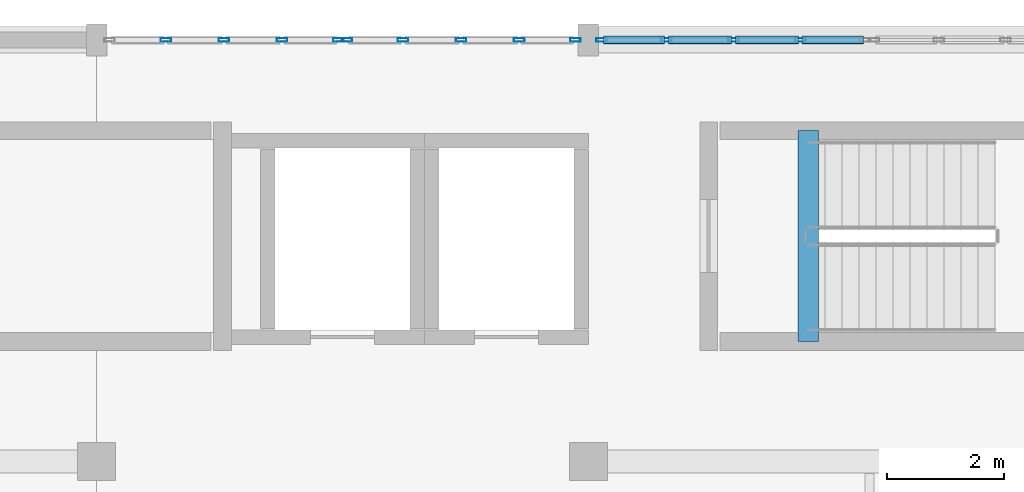
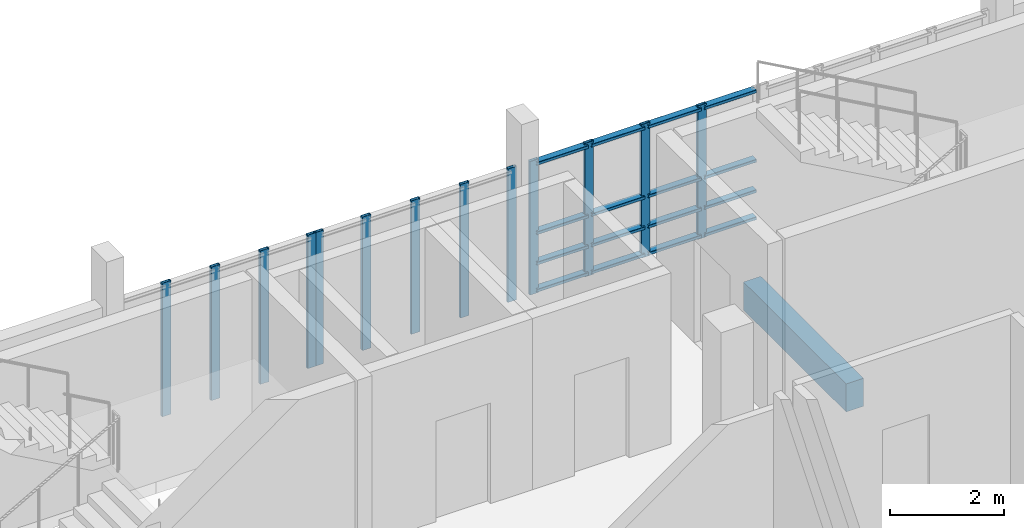
# One storey, part 8 of 25: 29 members, 1 beam, 3 elements without a shape of their own.
"""IFC4 building model written with IfcOpenShell, lengths in metres."""

from ifc_helpers import new_model, si_unit, direction, frame, origin, origin_2d, place, context, subcontext, project, spatial, rectangle, hollow_rectangle, extrude, material, layer, layer_set, material_profile, profile_set, type_object, element, aggregate, save


model = new_model("IFC4")

# Units and contexts
model_context = context("Model", 3, precision=1e-05, world=origin(), true_north=direction((0.0, 1.0)))
body_context = subcontext(model_context, "Body", "Model", "MODEL_VIEW")
ifc_project = project(units=[si_unit("LENGTHUNIT", "METRE"), si_unit("AREAUNIT", "SQUARE_METRE"), si_unit("VOLUMEUNIT", "CUBIC_METRE"), si_unit("PLANEANGLEUNIT", "RADIAN"), si_unit("MASSUNIT", "GRAM", prefix="KILO")], contexts=[model_context])

# Site, building, storey
site_placement = place(None, origin())
site = spatial("IfcSite", under=ifc_project, at=site_placement, CompositionType="ELEMENT")
building_placement = place(site_placement, origin())
building = spatial("IfcBuilding", under=site, at=building_placement, Name="Kisaragi Civic Commons", CompositionType="ELEMENT")
storey_placement = place(building_placement, frame((0.0, 0.0, 13.5)))
storey = spatial("IfcBuildingStorey", under=building, at=storey_placement, Name="L03", CompositionType="ELEMENT", Elevation=13.5)

# Curtain wall, members
ifc_material_1 = material(Name="Thermally broken anodized aluminium and low-E double glazing", Category="aluminium")
ifc_layer = layer(ifc_material_1, 0.179931640625, Name="Thermally broken anodized aluminium and low-E double glazing", Category="aluminium")
ifc_layer_set = layer_set([ifc_layer], Name="Thermally broken anodized aluminium and low-E double glazing")
curtain_wall_type = type_object("IfcCurtainWallType", Name="CW-01", PredefinedType="NOTDEFINED", material=ifc_layer_set)
curtain_wall_1_placement = place(storey_placement, origin())
curtain_wall_1 = element("IfcCurtainWall", 1, at=curtain_wall_1_placement, inside=storey, type_object=curtain_wall_type, Name="L03 curtain wall CW-01 CW-V4-L03-097", PredefinedType="NOTDEFINED")
ifc_material_profile_1 = material_profile(ifc_material_1, hollow_rectangle(XDim=0.06494140625, YDim=0.179931640625, WallThickness=0.00439453125, InnerFilletRadius=0.00439453125, OuterFilletRadius=0.009033203125, at=origin_2d()), Name="CWM-65x180x4.5", Category="aluminium")
ifc_profile_set_1 = profile_set([ifc_material_profile_1], Name="Thermally broken anodized aluminium and low-E double glazing")
member_type_1 = type_object("IfcMemberType", Name="CWM-02", PredefinedType="MULLION", material=ifc_profile_set_1)
member_1_placement = place(storey_placement, frame((106.782470703125, 118.800048828125, 0.0), z_axis=(0.0, 0.0, 1.0), x_axis=(0.0, 1.0, 0.0)))
member_1 = element("IfcMember", 2, at=member_1_placement, type_object=member_type_1, Name="CW-01 mullion 2", PredefinedType="MULLION", context=body_context, shape_type="SweptSolid", body=[
    extrude(hollow_rectangle(XDim=0.06494140625, YDim=0.179931640625, WallThickness=0.00439453125, InnerFilletRadius=0.00439453125, OuterFilletRadius=0.009033203125, at=origin_2d()), origin(), (0.0, 0.0, 1.0), 2.85498046875),
])
member_2_placement = place(storey_placement, frame((107.77490234375, 118.800048828125, 0.0), z_axis=(0.0, 0.0, 1.0), x_axis=(0.0, 1.0, 0.0)))
member_2 = element("IfcMember", 3, at=member_2_placement, type_object=member_type_1, Name="CW-01 mullion 3", PredefinedType="MULLION", context=body_context, shape_type="SweptSolid", body=[
    extrude(hollow_rectangle(XDim=0.06494140625, YDim=0.179931640625, WallThickness=0.00439453125, InnerFilletRadius=0.00439453125, OuterFilletRadius=0.009033203125, at=origin_2d()), origin(), (0.0, 0.0, 1.0), 2.85498046875),
])
member_3_placement = place(storey_placement, frame((108.767578125, 118.800048828125, 0.0), z_axis=(0.0, 0.0, 1.0), x_axis=(0.0, 1.0, 0.0)))
member_3 = element("IfcMember", 4, at=member_3_placement, type_object=member_type_1, Name="CW-01 mullion 4", PredefinedType="MULLION", context=body_context, shape_type="SweptSolid", body=[
    extrude(hollow_rectangle(XDim=0.06494140625, YDim=0.179931640625, WallThickness=0.00439453125, InnerFilletRadius=0.00439453125, OuterFilletRadius=0.009033203125, at=origin_2d()), origin(), (0.0, 0.0, 1.0), 2.85498046875),
])
member_4_placement = place(storey_placement, frame((109.7275390625, 118.800048828125, 0.0), z_axis=(0.0, 0.0, 1.0), x_axis=(0.0, 1.0, 0.0)))
member_4 = element("IfcMember", 5, at=member_4_placement, type_object=member_type_1, Name="CW-01 mullion 5", PredefinedType="MULLION", context=body_context, shape_type="SweptSolid", body=[
    extrude(hollow_rectangle(XDim=0.06494140625, YDim=0.179931640625, WallThickness=0.00439453125, InnerFilletRadius=0.00439453125, OuterFilletRadius=0.009033203125, at=origin_2d()), origin(), (0.0, 0.0, 1.0), 2.85498046875),
])
aggregate(curtain_wall_1, [member_1, member_2, member_3, member_4])

curtain_wall_2_placement = place(storey_placement, origin())
curtain_wall_2 = element("IfcCurtainWall", 6, at=curtain_wall_2_placement, inside=storey, type_object=curtain_wall_type, Name="L03 curtain wall CW-01 CW-V4-L03-098", PredefinedType="NOTDEFINED")
member_5_placement = place(storey_placement, frame((109.87255859375, 118.800048828125, 0.0), z_axis=(0.0, 0.0, 1.0), x_axis=(0.0, 1.0, 0.0)))
member_5 = element("IfcMember", 7, at=member_5_placement, type_object=member_type_1, Name="CW-01 mullion 1", PredefinedType="MULLION", context=body_context, shape_type="SweptSolid", body=[
    extrude(hollow_rectangle(XDim=0.06494140625, YDim=0.179931640625, WallThickness=0.00439453125, InnerFilletRadius=0.00439453125, OuterFilletRadius=0.009033203125, at=origin_2d()), origin(), (0.0, 0.0, 1.0), 2.85498046875),
])
member_6_placement = place(storey_placement, frame((110.83251953125, 118.800048828125, 0.0), z_axis=(0.0, 0.0, 1.0), x_axis=(0.0, 1.0, 0.0)))
member_6 = element("IfcMember", 8, at=member_6_placement, type_object=member_type_1, Name="CW-01 mullion 2", PredefinedType="MULLION", context=body_context, shape_type="SweptSolid", body=[
    extrude(hollow_rectangle(XDim=0.06494140625, YDim=0.179931640625, WallThickness=0.00439453125, InnerFilletRadius=0.00439453125, OuterFilletRadius=0.009033203125, at=origin_2d()), origin(), (0.0, 0.0, 1.0), 2.85498046875),
])
member_7_placement = place(storey_placement, frame((111.824951171875, 118.800048828125, 0.0), z_axis=(0.0, 0.0, 1.0), x_axis=(0.0, 1.0, 0.0)))
member_7 = element("IfcMember", 9, at=member_7_placement, type_object=member_type_1, Name="CW-01 mullion 3", PredefinedType="MULLION", context=body_context, shape_type="SweptSolid", body=[
    extrude(hollow_rectangle(XDim=0.06494140625, YDim=0.179931640625, WallThickness=0.00439453125, InnerFilletRadius=0.00439453125, OuterFilletRadius=0.009033203125, at=origin_2d()), origin(), (0.0, 0.0, 1.0), 2.85498046875),
])
member_8_placement = place(storey_placement, frame((112.8173828125, 118.800048828125, 0.0), z_axis=(0.0, 0.0, 1.0), x_axis=(0.0, 1.0, 0.0)))
member_8 = element("IfcMember", 10, at=member_8_placement, type_object=member_type_1, Name="CW-01 mullion 4", PredefinedType="MULLION", context=body_context, shape_type="SweptSolid", body=[
    extrude(hollow_rectangle(XDim=0.06494140625, YDim=0.179931640625, WallThickness=0.00439453125, InnerFilletRadius=0.00439453125, OuterFilletRadius=0.009033203125, at=origin_2d()), origin(), (0.0, 0.0, 1.0), 2.85498046875),
])
member_9_placement = place(storey_placement, frame((113.777587890625, 118.800048828125, 0.0), z_axis=(0.0, 0.0, 1.0), x_axis=(0.0, 1.0, 0.0)))
member_9 = element("IfcMember", 11, at=member_9_placement, type_object=member_type_1, Name="CW-01 mullion 5", PredefinedType="MULLION", context=body_context, shape_type="SweptSolid", body=[
    extrude(hollow_rectangle(XDim=0.06494140625, YDim=0.179931640625, WallThickness=0.00439453125, InnerFilletRadius=0.00439453125, OuterFilletRadius=0.009033203125, at=origin_2d()), origin(), (0.0, 0.0, 1.0), 2.85498046875),
])
aggregate(curtain_wall_2, [member_5, member_6, member_7, member_8, member_9])

curtain_wall_3_placement = place(storey_placement, origin())
curtain_wall_3 = element("IfcCurtainWall", 12, at=curtain_wall_3_placement, inside=storey, type_object=curtain_wall_type, Name="L03 curtain wall CW-01 CW-V4-L03-099", PredefinedType="NOTDEFINED")
member_10_placement = place(storey_placement, frame((114.222412109375, 118.800048828125, 0.0), z_axis=(0.0, 0.0, 1.0), x_axis=(0.0, 1.0, 0.0)))
member_10 = element("IfcMember", 13, at=member_10_placement, type_object=member_type_1, Name="CW-01 mullion 1", PredefinedType="MULLION", context=body_context, shape_type="SweptSolid", body=[
    extrude(hollow_rectangle(XDim=0.06494140625, YDim=0.179931640625, WallThickness=0.00439453125, InnerFilletRadius=0.00439453125, OuterFilletRadius=0.009033203125, at=origin_2d()), origin(), (0.0, 0.0, 1.0), 2.85498046875),
])
member_11_placement = place(storey_placement, frame((115.33251953125, 118.800048828125, 0.0), z_axis=(0.0, 0.0, 1.0), x_axis=(0.0, 1.0, 0.0)))
member_11 = element("IfcMember", 14, at=member_11_placement, type_object=member_type_1, Name="CW-01 mullion 2", PredefinedType="MULLION", context=body_context, shape_type="SweptSolid", body=[
    extrude(hollow_rectangle(XDim=0.06494140625, YDim=0.179931640625, WallThickness=0.00439453125, InnerFilletRadius=0.00439453125, OuterFilletRadius=0.009033203125, at=origin_2d()), origin(), (0.0, 0.0, 1.0), 2.85498046875),
])
member_12_placement = place(storey_placement, frame((116.47509765625, 118.800048828125, 0.0), z_axis=(0.0, 0.0, 1.0), x_axis=(0.0, 1.0, 0.0)))
member_12 = element("IfcMember", 15, at=member_12_placement, type_object=member_type_1, Name="CW-01 mullion 3", PredefinedType="MULLION", context=body_context, shape_type="SweptSolid", body=[
    extrude(hollow_rectangle(XDim=0.06494140625, YDim=0.179931640625, WallThickness=0.00439453125, InnerFilletRadius=0.00439453125, OuterFilletRadius=0.009033203125, at=origin_2d()), origin(), (0.0, 0.0, 1.0), 2.85498046875),
])
member_13_placement = place(storey_placement, frame((117.617431640625, 118.800048828125, 0.0), z_axis=(0.0, 0.0, 1.0), x_axis=(0.0, 1.0, 0.0)))
member_13 = element("IfcMember", 16, at=member_13_placement, type_object=member_type_1, Name="CW-01 mullion 4", PredefinedType="MULLION", context=body_context, shape_type="SweptSolid", body=[
    extrude(hollow_rectangle(XDim=0.06494140625, YDim=0.179931640625, WallThickness=0.00439453125, InnerFilletRadius=0.00439453125, OuterFilletRadius=0.009033203125, at=origin_2d()), origin(), (0.0, 0.0, 1.0), 2.85498046875),
])
ifc_material_profile_2 = material_profile(ifc_material_1, hollow_rectangle(XDim=0.139892578125, YDim=0.06494140625, WallThickness=0.00439453125, InnerFilletRadius=0.00439453125, OuterFilletRadius=0.009033203125, at=origin_2d()), Name="CWT-65x140x4.5", Category="aluminium")
ifc_profile_set_2 = profile_set([ifc_material_profile_2], Name="Thermally broken anodized aluminium and low-E double glazing")
member_type_2 = type_object("IfcMemberType", Name="CWT-02", PredefinedType="USERDEFINED", material=ifc_profile_set_2)
member_14_placement = place(storey_placement, frame((114.2548828125, 118.800048828125, 0.070068359375), z_axis=(1.0, 0.0, 0.0), x_axis=(0.0, 1.0, 0.0)))
member_14 = element("IfcMember", 17, at=member_14_placement, type_object=member_type_2, Name="CW-01 transom 1.1", ObjectType="TRANSOM", PredefinedType="USERDEFINED", context=body_context, shape_type="SweptSolid", body=[
    extrude(hollow_rectangle(XDim=0.139892578125, YDim=0.06494140625, WallThickness=0.00439453125, InnerFilletRadius=0.00439453125, OuterFilletRadius=0.009033203125, at=origin_2d()), origin(), (0.0, 0.0, 1.0), 1.045166015625),
])
member_15_placement = place(storey_placement, frame((114.2548828125, 118.800048828125, 0.64990234375), z_axis=(1.0, 0.0, 0.0), x_axis=(0.0, 1.0, 0.0)))
member_15 = element("IfcMember", 18, at=member_15_placement, type_object=member_type_2, Name="CW-01 transom 1.2", ObjectType="TRANSOM", PredefinedType="USERDEFINED", context=body_context, shape_type="SweptSolid", body=[
    extrude(hollow_rectangle(XDim=0.139892578125, YDim=0.06494140625, WallThickness=0.00439453125, InnerFilletRadius=0.00439453125, OuterFilletRadius=0.009033203125, at=origin_2d()), origin(), (0.0, 0.0, 1.0), 1.045166015625),
])
member_16_placement = place(storey_placement, frame((114.2548828125, 118.800048828125, 1.300048828125), z_axis=(1.0, 0.0, 0.0), x_axis=(0.0, 1.0, 0.0)))
member_16 = element("IfcMember", 19, at=member_16_placement, type_object=member_type_2, Name="CW-01 transom 1.3", ObjectType="TRANSOM", PredefinedType="USERDEFINED", context=body_context, shape_type="SweptSolid", body=[
    extrude(hollow_rectangle(XDim=0.139892578125, YDim=0.06494140625, WallThickness=0.00439453125, InnerFilletRadius=0.00439453125, OuterFilletRadius=0.009033203125, at=origin_2d()), origin(), (0.0, 0.0, 1.0), 1.045166015625),
])
member_17_placement = place(storey_placement, frame((114.2548828125, 118.800048828125, 2.784912109375), z_axis=(1.0, 0.0, 0.0), x_axis=(0.0, 1.0, 0.0)))
member_17 = element("IfcMember", 20, at=member_17_placement, type_object=member_type_2, Name="CW-01 transom 1.4", ObjectType="TRANSOM", PredefinedType="USERDEFINED", context=body_context, shape_type="SweptSolid", body=[
    extrude(hollow_rectangle(XDim=0.139892578125, YDim=0.06494140625, WallThickness=0.00439453125, InnerFilletRadius=0.00439453125, OuterFilletRadius=0.009033203125, at=origin_2d()), origin(), (0.0, 0.0, 1.0), 1.045166015625),
])
member_18_placement = place(storey_placement, frame((115.364990234375, 118.800048828125, 0.070068359375), z_axis=(1.0, 0.0, 0.0), x_axis=(0.0, 1.0, 0.0)))
member_18 = element("IfcMember", 21, at=member_18_placement, type_object=member_type_2, Name="CW-01 transom 2.1", ObjectType="TRANSOM", PredefinedType="USERDEFINED", context=body_context, shape_type="SweptSolid", body=[
    extrude(hollow_rectangle(XDim=0.139892578125, YDim=0.06494140625, WallThickness=0.00439453125, InnerFilletRadius=0.00439453125, OuterFilletRadius=0.009033203125, at=origin_2d()), origin(), (0.0, 0.0, 1.0), 1.077392578125),
])
member_19_placement = place(storey_placement, frame((115.364990234375, 118.800048828125, 0.64990234375), z_axis=(1.0, 0.0, 0.0), x_axis=(0.0, 1.0, 0.0)))
member_19 = element("IfcMember", 22, at=member_19_placement, type_object=member_type_2, Name="CW-01 transom 2.2", ObjectType="TRANSOM", PredefinedType="USERDEFINED", context=body_context, shape_type="SweptSolid", body=[
    extrude(hollow_rectangle(XDim=0.139892578125, YDim=0.06494140625, WallThickness=0.00439453125, InnerFilletRadius=0.00439453125, OuterFilletRadius=0.009033203125, at=origin_2d()), origin(), (0.0, 0.0, 1.0), 1.077392578125),
])
member_20_placement = place(storey_placement, frame((115.364990234375, 118.800048828125, 1.300048828125), z_axis=(1.0, 0.0, 0.0), x_axis=(0.0, 1.0, 0.0)))
member_20 = element("IfcMember", 23, at=member_20_placement, type_object=member_type_2, Name="CW-01 transom 2.3", ObjectType="TRANSOM", PredefinedType="USERDEFINED", context=body_context, shape_type="SweptSolid", body=[
    extrude(hollow_rectangle(XDim=0.139892578125, YDim=0.06494140625, WallThickness=0.00439453125, InnerFilletRadius=0.00439453125, OuterFilletRadius=0.009033203125, at=origin_2d()), origin(), (0.0, 0.0, 1.0), 1.077392578125),
])
member_21_placement = place(storey_placement, frame((115.364990234375, 118.800048828125, 2.784912109375), z_axis=(1.0, 0.0, 0.0), x_axis=(0.0, 1.0, 0.0)))
member_21 = element("IfcMember", 24, at=member_21_placement, type_object=member_type_2, Name="CW-01 transom 2.4", ObjectType="TRANSOM", PredefinedType="USERDEFINED", context=body_context, shape_type="SweptSolid", body=[
    extrude(hollow_rectangle(XDim=0.139892578125, YDim=0.06494140625, WallThickness=0.00439453125, InnerFilletRadius=0.00439453125, OuterFilletRadius=0.009033203125, at=origin_2d()), origin(), (0.0, 0.0, 1.0), 1.077392578125),
])
member_22_placement = place(storey_placement, frame((116.507568359375, 118.800048828125, 0.070068359375), z_axis=(1.0, 0.0, 0.0), x_axis=(0.0, 1.0, 0.0)))
member_22 = element("IfcMember", 25, at=member_22_placement, type_object=member_type_2, Name="CW-01 transom 3.1", ObjectType="TRANSOM", PredefinedType="USERDEFINED", context=body_context, shape_type="SweptSolid", body=[
    extrude(hollow_rectangle(XDim=0.139892578125, YDim=0.06494140625, WallThickness=0.00439453125, InnerFilletRadius=0.00439453125, OuterFilletRadius=0.009033203125, at=origin_2d()), origin(), (0.0, 0.0, 1.0), 1.077392578125),
])
member_23_placement = place(storey_placement, frame((116.507568359375, 118.800048828125, 0.64990234375), z_axis=(1.0, 0.0, 0.0), x_axis=(0.0, 1.0, 0.0)))
member_23 = element("IfcMember", 26, at=member_23_placement, type_object=member_type_2, Name="CW-01 transom 3.2", ObjectType="TRANSOM", PredefinedType="USERDEFINED", context=body_context, shape_type="SweptSolid", body=[
    extrude(hollow_rectangle(XDim=0.139892578125, YDim=0.06494140625, WallThickness=0.00439453125, InnerFilletRadius=0.00439453125, OuterFilletRadius=0.009033203125, at=origin_2d()), origin(), (0.0, 0.0, 1.0), 1.077392578125),
])
member_24_placement = place(storey_placement, frame((116.507568359375, 118.800048828125, 1.300048828125), z_axis=(1.0, 0.0, 0.0), x_axis=(0.0, 1.0, 0.0)))
member_24 = element("IfcMember", 27, at=member_24_placement, type_object=member_type_2, Name="CW-01 transom 3.3", ObjectType="TRANSOM", PredefinedType="USERDEFINED", context=body_context, shape_type="SweptSolid", body=[
    extrude(hollow_rectangle(XDim=0.139892578125, YDim=0.06494140625, WallThickness=0.00439453125, InnerFilletRadius=0.00439453125, OuterFilletRadius=0.009033203125, at=origin_2d()), origin(), (0.0, 0.0, 1.0), 1.077392578125),
])
member_25_placement = place(storey_placement, frame((116.507568359375, 118.800048828125, 2.784912109375), z_axis=(1.0, 0.0, 0.0), x_axis=(0.0, 1.0, 0.0)))
member_25 = element("IfcMember", 28, at=member_25_placement, type_object=member_type_2, Name="CW-01 transom 3.4", ObjectType="TRANSOM", PredefinedType="USERDEFINED", context=body_context, shape_type="SweptSolid", body=[
    extrude(hollow_rectangle(XDim=0.139892578125, YDim=0.06494140625, WallThickness=0.00439453125, InnerFilletRadius=0.00439453125, OuterFilletRadius=0.009033203125, at=origin_2d()), origin(), (0.0, 0.0, 1.0), 1.077392578125),
])
member_26_placement = place(storey_placement, frame((117.64990234375, 118.800048828125, 0.070068359375), z_axis=(1.0, 0.0, 0.0), x_axis=(0.0, 1.0, 0.0)))
member_26 = element("IfcMember", 29, at=member_26_placement, type_object=member_type_2, Name="CW-01 transom 4.1", ObjectType="TRANSOM", PredefinedType="USERDEFINED", context=body_context, shape_type="SweptSolid", body=[
    extrude(hollow_rectangle(XDim=0.139892578125, YDim=0.06494140625, WallThickness=0.00439453125, InnerFilletRadius=0.00439453125, OuterFilletRadius=0.009033203125, at=origin_2d()), origin(), (0.0, 0.0, 1.0), 1.045166015625),
])
member_27_placement = place(storey_placement, frame((117.64990234375, 118.800048828125, 0.64990234375), z_axis=(1.0, 0.0, 0.0), x_axis=(0.0, 1.0, 0.0)))
member_27 = element("IfcMember", 30, at=member_27_placement, type_object=member_type_2, Name="CW-01 transom 4.2", ObjectType="TRANSOM", PredefinedType="USERDEFINED", context=body_context, shape_type="SweptSolid", body=[
    extrude(hollow_rectangle(XDim=0.139892578125, YDim=0.06494140625, WallThickness=0.00439453125, InnerFilletRadius=0.00439453125, OuterFilletRadius=0.009033203125, at=origin_2d()), origin(), (0.0, 0.0, 1.0), 1.045166015625),
])
member_28_placement = place(storey_placement, frame((117.64990234375, 118.800048828125, 1.300048828125), z_axis=(1.0, 0.0, 0.0), x_axis=(0.0, 1.0, 0.0)))
member_28 = element("IfcMember", 31, at=member_28_placement, type_object=member_type_2, Name="CW-01 transom 4.3", ObjectType="TRANSOM", PredefinedType="USERDEFINED", context=body_context, shape_type="SweptSolid", body=[
    extrude(hollow_rectangle(XDim=0.139892578125, YDim=0.06494140625, WallThickness=0.00439453125, InnerFilletRadius=0.00439453125, OuterFilletRadius=0.009033203125, at=origin_2d()), origin(), (0.0, 0.0, 1.0), 1.045166015625),
])
member_29_placement = place(storey_placement, frame((117.64990234375, 118.800048828125, 2.784912109375), z_axis=(1.0, 0.0, 0.0), x_axis=(0.0, 1.0, 0.0)))
member_29 = element("IfcMember", 32, at=member_29_placement, type_object=member_type_2, Name="CW-01 transom 4.4", ObjectType="TRANSOM", PredefinedType="USERDEFINED", context=body_context, shape_type="SweptSolid", body=[
    extrude(hollow_rectangle(XDim=0.139892578125, YDim=0.06494140625, WallThickness=0.00439453125, InnerFilletRadius=0.00439453125, OuterFilletRadius=0.009033203125, at=origin_2d()), origin(), (0.0, 0.0, 1.0), 1.045166015625),
])
aggregate(curtain_wall_3, [member_10, member_11, member_12, member_13, member_14, member_15, member_16, member_17, member_18, member_19, member_20, member_21, member_22, member_23, member_24, member_25, member_26, member_27, member_28, member_29])

# Beam
ifc_material_2 = material(Name="Concrete Fc30", Category="concrete")
ifc_material_profile_3 = material_profile(ifc_material_2, rectangle(XDim=0.35009765625, YDim=0.60009765625, at=origin_2d()), Name="RC-350x600", Category="concrete")
ifc_profile_set_3 = profile_set([ifc_material_profile_3], Name="Concrete Fc30")
beam_type = type_object("IfcBeamType", Name="G-14", PredefinedType="BEAM", material=ifc_profile_set_3)
beam_placement = place(storey_placement, frame((117.75, 113.64990234375, -0.300048828125), z_axis=(0.0, 1.0, 0.0), x_axis=(-1.0, 0.0, 0.0)))
element("IfcBeam", 33, at=beam_placement, inside=storey, type_object=beam_type, Name="ST-L2 L03 stair landing trimmer beam", PredefinedType="BEAM", context=body_context, shape_type="SweptSolid", body=[
    extrude(rectangle(XDim=0.35009765625, YDim=0.60009765625, at=origin_2d()), origin(), (0.0, 0.0, 1.0), 3.60009765625),
])

save(model, "model.ifc")
